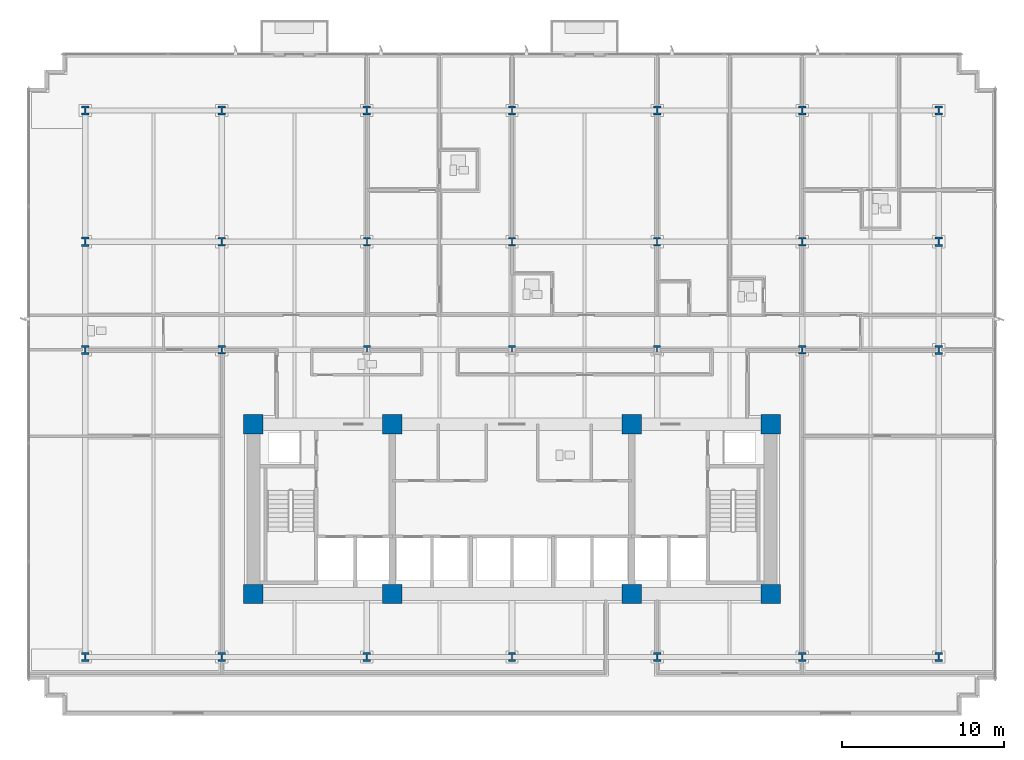
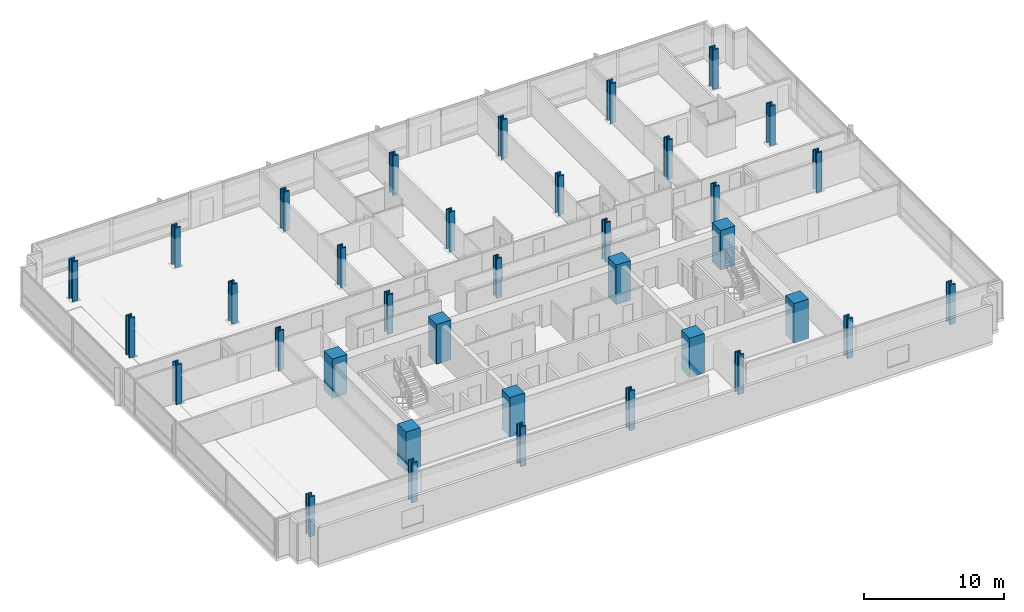
# One storey, part 1 of 18: 36 columns.
"""IFC4 building model written with IfcOpenShell, lengths in metres."""

from ifc_helpers import new_model, si_unit, direction, frame, origin, origin_2d, place, context, subcontext, project, spatial, rectangle, i_section, extrude, material, material_profile, profile_set, type_object, element, save


model = new_model("IFC4")

# Units and contexts
model_context = context("Model", 3, precision=1e-05, world=origin(), true_north=direction((0.0, 1.0)))
body_context = subcontext(model_context, "Body", "Model", "MODEL_VIEW")
ifc_project = project(units=[si_unit("LENGTHUNIT", "METRE"), si_unit("AREAUNIT", "SQUARE_METRE"), si_unit("VOLUMEUNIT", "CUBIC_METRE"), si_unit("PLANEANGLEUNIT", "RADIAN"), si_unit("MASSUNIT", "GRAM", prefix="KILO")], contexts=[model_context])

# Site, building, storey
site_placement = place(None, origin())
site = spatial("IfcSite", under=ifc_project, at=site_placement, CompositionType="ELEMENT")
building_placement = place(site_placement, origin())
building = spatial("IfcBuilding", under=site, at=building_placement, Name="Solmavex Isthmus Hotel", CompositionType="ELEMENT")
storey_placement = place(building_placement, frame((0.0, 0.0, 43.64990234375)))
storey = spatial("IfcBuildingStorey", under=building, at=storey_placement, Name="L11", CompositionType="ELEMENT", Elevation=43.64990234375)

# Columns
ifc_material_1 = material(Name="Concrete C70/85", Category="concrete")
ifc_material_profile_1 = material_profile(ifc_material_1, rectangle(XDim=1.199951171875, YDim=1.199951171875, at=origin_2d()), Name="RC1200X1200")
ifc_profile_set_1 = profile_set([ifc_material_profile_1], Name="Concrete C70/85")
column_type_1 = type_object("IfcColumnType", Name="COL-CC-1200", PredefinedType="COLUMN", material=ifc_profile_set_1)
for number, where, z_axis, x_axis, name in (
    (1, (-16.0, -13.0, 0.0), (0.0, 0.0, 1.0), (1.0, 0.0, 0.0), "Core Pilaster CC-SW L11"),
    (2, (-7.39990234375, -13.0, 0.0), (0.0, 0.0, 1.0), (1.0, 0.0, 0.0), "Core Pilaster CC-S1 L11"),
    (3, (7.39990234375, -13.0, 0.0), (0.0, 0.0, 1.0), (1.0, 0.0, 0.0), "Core Pilaster CC-S2 L11"),
    (4, (16.0, -13.0, 0.0), (0.0, 0.0, 1.0), (1.0, 0.0, 0.0), "Core Pilaster CC-SE L11"),
    (5, (-16.0, -2.5, 0.0), (0.0, 0.0, 1.0), (1.0, 0.0, 0.0), "Core Pilaster CC-NW L11"),
    (6, (-7.39990234375, -2.5, 0.0), (0.0, 0.0, 1.0), (1.0, 0.0, 0.0), "Core Pilaster CC-N1 L11"),
    (7, (7.39990234375, -2.5, 0.0), (0.0, 0.0, 1.0), (1.0, 0.0, 0.0), "Core Pilaster CC-N2 L11"),
    (8, (16.0, -2.5, 0.0), (0.0, 0.0, 1.0), (1.0, 0.0, 0.0), "Core Pilaster CC-NE L11"),
):
    element("IfcColumn", number, at=place(storey_placement, frame(where, z_axis=z_axis, x_axis=x_axis)), inside=storey, type_object=column_type_1, Name=name, PredefinedType="COLUMN", context=body_context, shape_type="SweptSolid", body=[
        extrude(rectangle(XDim=1.199951171875, YDim=1.199951171875, at=origin_2d()), origin(), (0.0, 0.0, 1.0), 3.4501953125),
    ])
ifc_material_2 = material(Name="Steel ASTM A913 Grade 65", Category="steel")
ifc_material_profile_2 = material_profile(ifc_material_2, i_section(OverallWidth=0.442138671875, OverallDepth=0.531494140625, WebThickness=0.06591796875, FlangeThickness=0.105712890625, FilletRadius=0.030517578125, at=origin_2d()), Name="W14X605")
ifc_profile_set_2 = profile_set([ifc_material_profile_2], Name="Steel ASTM A913 Grade 65")
column_type_2 = type_object("IfcColumnType", Name="COL-SC-W14X605", PredefinedType="COLUMN", material=ifc_profile_set_2)
for number, where, z_axis, x_axis, name in (
    (9, (-17.951904296875, 2.10009765625, 0.0), (0.0, 0.0, 1.0), (1.0, 0.0, 0.0), "Tower Column B1-U2V2 L11"),
    (10, (-17.951904296875, 8.7880859375, 0.0), (0.0, 0.0, 1.0), (1.0, 0.0, 0.0), "Tower Column B1-U2V3 L11"),
    (11, (-8.97607421875, 2.10009765625, 0.0), (0.0, 0.0, 1.0), (1.0, 0.0, 0.0), "Tower Column B1-U3V2 L11"),
    (12, (-8.97607421875, 8.7880859375, 0.0), (0.0, 0.0, 1.0), (1.0, 0.0, 0.0), "Tower Column B1-U3V3 L11"),
    (13, (0.0, 2.10009765625, 0.0), (0.0, 0.0, 1.0), (1.0, 0.0, 0.0), "Tower Column B1-U4V2 L11"),
    (14, (0.0, 8.7880859375, 0.0), (0.0, 0.0, 1.0), (1.0, 0.0, 0.0), "Tower Column B1-U4V3 L11"),
    (15, (8.97607421875, 2.10009765625, 0.0), (0.0, 0.0, 1.0), (1.0, 0.0, 0.0), "Tower Column B1-U5V2 L11"),
    (16, (8.97607421875, 8.7880859375, 0.0), (0.0, 0.0, 1.0), (1.0, 0.0, 0.0), "Tower Column B1-U5V3 L11"),
    (17, (17.951904296875, 2.10009765625, 0.0), (0.0, 0.0, 1.0), (1.0, 0.0, 0.0), "Tower Column B1-U6V2 L11"),
    (18, (17.951904296875, 8.7880859375, 0.0), (0.0, 0.0, 1.0), (1.0, 0.0, 0.0), "Tower Column B1-U6V3 L11"),
):
    element("IfcColumn", number, at=place(storey_placement, frame(where, z_axis=z_axis, x_axis=x_axis)), inside=storey, type_object=column_type_2, Name=name, PredefinedType="COLUMN", context=body_context, shape_type="SweptSolid", body=[
        extrude(i_section(OverallWidth=0.442138671875, OverallDepth=0.531494140625, WebThickness=0.06591796875, FlangeThickness=0.105712890625, FilletRadius=0.030517578125, at=origin_2d()), origin(), (0.0, 0.0, 1.0), 3.4501953125),
    ])
ifc_material_profile_3 = material_profile(ifc_material_2, i_section(OverallWidth=0.454345703125, OverallDepth=0.569091796875, WebThickness=0.077880859375, FlangeThickness=0.124755859375, FilletRadius=0.030517578125, at=origin_2d()), Name="W14X730")
ifc_profile_set_3 = profile_set([ifc_material_profile_3], Name="Steel ASTM A913 Grade 65")
column_type_3 = type_object("IfcColumnType", Name="COL-SC-W14X730", PredefinedType="COLUMN", material=ifc_profile_set_3)
for number, where, z_axis, x_axis, name in (
    (19, (-26.39990234375, -16.89990234375, 0.0), (0.0, 0.0, 1.0), (1.0, 0.0, 0.0), "Tower Column B1-U1V1 L11"),
    (20, (-26.39990234375, 2.10009765625, 0.0), (0.0, 0.0, 1.0), (1.0, 0.0, 0.0), "Tower Column B1-U1V2 L11"),
    (21, (-26.39990234375, 8.7880859375, 0.0), (0.0, 0.0, 1.0), (1.0, 0.0, 0.0), "Tower Column B1-U1V3 L11"),
    (22, (-26.39990234375, 16.89990234375, 0.0), (0.0, 0.0, 1.0), (1.0, 0.0, 0.0), "Tower Column B1-U1V4 L11"),
    (23, (-17.951904296875, -16.89990234375, 0.0), (0.0, 0.0, 1.0), (1.0, 0.0, 0.0), "Tower Column B1-U2V1 L11"),
    (24, (-17.951904296875, 16.89990234375, 0.0), (0.0, 0.0, 1.0), (1.0, 0.0, 0.0), "Tower Column B1-U2V4 L11"),
    (25, (-8.97607421875, -16.89990234375, 0.0), (0.0, 0.0, 1.0), (1.0, 0.0, 0.0), "Tower Column B1-U3V1 L11"),
    (26, (-8.97607421875, 16.89990234375, 0.0), (0.0, 0.0, 1.0), (1.0, 0.0, 0.0), "Tower Column B1-U3V4 L11"),
    (27, (0.0, -16.89990234375, 0.0), (0.0, 0.0, 1.0), (1.0, 0.0, 0.0), "Tower Column B1-U4V1 L11"),
    (28, (0.0, 16.89990234375, 0.0), (0.0, 0.0, 1.0), (1.0, 0.0, 0.0), "Tower Column B1-U4V4 L11"),
    (29, (8.97607421875, -16.89990234375, 0.0), (0.0, 0.0, 1.0), (1.0, 0.0, 0.0), "Tower Column B1-U5V1 L11"),
    (30, (8.97607421875, 16.89990234375, 0.0), (0.0, 0.0, 1.0), (1.0, 0.0, 0.0), "Tower Column B1-U5V4 L11"),
    (31, (17.951904296875, -16.89990234375, 0.0), (0.0, 0.0, 1.0), (1.0, 0.0, 0.0), "Tower Column B1-U6V1 L11"),
    (32, (17.951904296875, 16.89990234375, 0.0), (0.0, 0.0, 1.0), (1.0, 0.0, 0.0), "Tower Column B1-U6V4 L11"),
    (33, (26.39990234375, -16.89990234375, 0.0), (0.0, 0.0, 1.0), (1.0, 0.0, 0.0), "Tower Column B1-U7V1 L11"),
    (34, (26.39990234375, 2.10009765625, 0.0), (0.0, 0.0, 1.0), (1.0, 0.0, 0.0), "Tower Column B1-U7V2 L11"),
    (35, (26.39990234375, 8.7880859375, 0.0), (0.0, 0.0, 1.0), (1.0, 0.0, 0.0), "Tower Column B1-U7V3 L11"),
    (36, (26.39990234375, 16.89990234375, 0.0), (0.0, 0.0, 1.0), (1.0, 0.0, 0.0), "Tower Column B1-U7V4 L11"),
):
    element("IfcColumn", number, at=place(storey_placement, frame(where, z_axis=z_axis, x_axis=x_axis)), inside=storey, type_object=column_type_3, Name=name, PredefinedType="COLUMN", context=body_context, shape_type="SweptSolid", body=[
        extrude(i_section(OverallWidth=0.454345703125, OverallDepth=0.569091796875, WebThickness=0.077880859375, FlangeThickness=0.124755859375, FilletRadius=0.030517578125, at=origin_2d()), origin(), (0.0, 0.0, 1.0), 3.4501953125),
    ])

save(model, "model.ifc")
